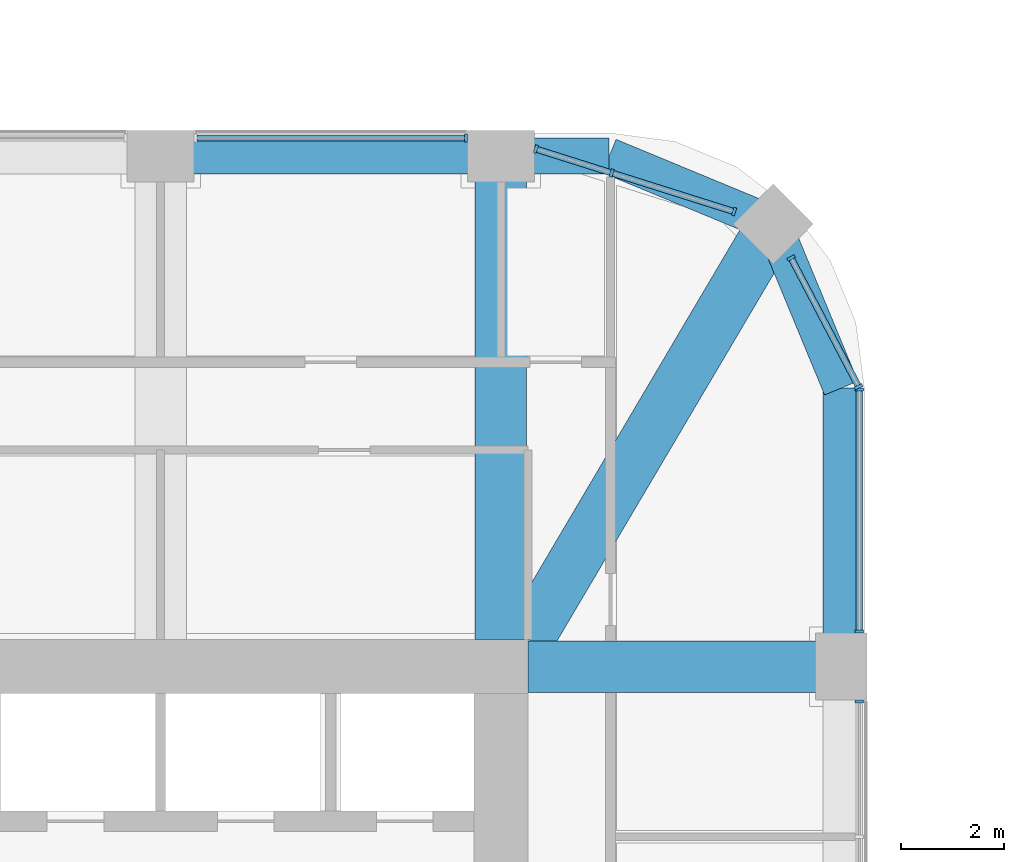
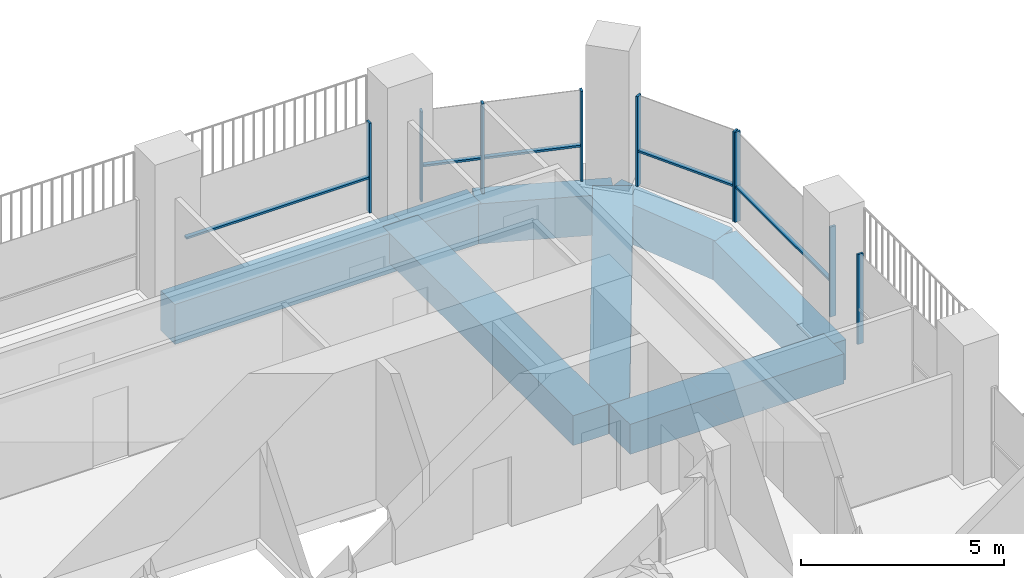
# One storey, part 6 of 19: 14 members, 8 beams, 5 elements without a shape of their own.
"""IFC4 building model written with IfcOpenShell, lengths in metres."""

from ifc_helpers import new_model, si_unit, direction, frame, origin, origin_2d, place, context, subcontext, project, spatial, rectangle, extrude, material, material_profile, profile_set, type_object, element, aggregate, save


model = new_model("IFC4")

# Units and contexts
model_context = context("Model", 3, precision=1e-05, world=origin(), true_north=direction((0.0, 1.0)))
body_context = subcontext(model_context, "Body", "Model", "MODEL_VIEW")
ifc_project = project(units=[si_unit("LENGTHUNIT", "METRE"), si_unit("AREAUNIT", "SQUARE_METRE"), si_unit("VOLUMEUNIT", "CUBIC_METRE"), si_unit("PLANEANGLEUNIT", "RADIAN"), si_unit("MASSUNIT", "GRAM", prefix="KILO")], contexts=[model_context])

# Site, building, storey
site_placement = place(None, origin())
site = spatial("IfcSite", under=ifc_project, at=site_placement, CompositionType="ELEMENT")
building_placement = place(site_placement, origin())
building = spatial("IfcBuilding", under=site, at=building_placement, Name="Cobogo Forest Laboratory Tower", CompositionType="ELEMENT")
storey_placement = place(building_placement, frame((0.0, 0.0, 237.60009765625)))
storey = spatial("IfcBuildingStorey", under=building, at=storey_placement, Name="L54", CompositionType="ELEMENT", Elevation=237.60009765625)

# Curtain wall, member
ifc_material_1 = material(Name="Aluminium curtain wall", Category="aluminium")
curtain_wall_type = type_object("IfcCurtainWallType", Name="CW-2 unitised curtain wall, solar control glazing, laboratory floors zones C and D", PredefinedType="USERDEFINED", material=ifc_material_1)
curtain_wall_1_placement = place(storey_placement, origin())
curtain_wall_1 = element("IfcCurtainWall", 1, at=curtain_wall_1_placement, inside=storey, type_object=curtain_wall_type, Name="Curtain wall 10 L54", ObjectType="UNITISED CURTAIN WALL", PredefinedType="USERDEFINED")
ifc_material_2 = material(Name="Aluminium mullion", Category="aluminium")
ifc_material_profile_1 = material_profile(ifc_material_2, rectangle(XDim=0.06005859375, YDim=0.159912109375, at=origin_2d()), Name="AL 60x160")
ifc_profile_set_1 = profile_set([ifc_material_profile_1], Name="Aluminium mullion")
member_type_1 = type_object("IfcMemberType", Name="MU-1 aluminium mullion 60x160", PredefinedType="MULLION", material=ifc_profile_set_1)
member_1_placement = place(storey_placement, frame((46.550048828125, 32.320068359375, 0.0), z_axis=(0.0, 0.0, 1.0), x_axis=(0.0, 1.0, 0.0)))
member_1 = element("IfcMember", 2, at=member_1_placement, type_object=member_type_1, Name="CW-2 mullion 3", PredefinedType="MULLION", context=body_context, shape_type="SweptSolid", body=[
    extrude(rectangle(XDim=0.06005859375, YDim=0.159912109375, at=origin_2d()), origin(), (0.0, 0.0, 1.0), 2.699951171875),
])
aggregate(curtain_wall_1, [member_1])

# Curtain wall, members
curtain_wall_2_placement = place(storey_placement, origin())
curtain_wall_2 = element("IfcCurtainWall", 3, at=curtain_wall_2_placement, inside=storey, type_object=curtain_wall_type, Name="Curtain wall 11 L54", ObjectType="UNITISED CURTAIN WALL", PredefinedType="USERDEFINED")
member_2_placement = place(storey_placement, frame((46.550048828125, 33.679931640625, 0.0), z_axis=(0.0, 0.0, 1.0), x_axis=(0.0, 1.0, 0.0)))
member_2 = element("IfcMember", 4, at=member_2_placement, type_object=member_type_1, Name="CW-2 mullion 1", PredefinedType="MULLION", context=body_context, shape_type="SweptSolid", body=[
    extrude(rectangle(XDim=0.06005859375, YDim=0.159912109375, at=origin_2d()), origin(), (0.0, 0.0, 1.0), 2.699951171875),
])
member_3_placement = place(storey_placement, frame((46.550048828125, 38.3701171875, 0.0), z_axis=(0.0, 0.0, 1.0), x_axis=(0.0, 1.0, 0.0)))
member_3 = element("IfcMember", 5, at=member_3_placement, type_object=member_type_1, Name="CW-2 mullion 2", PredefinedType="MULLION", context=body_context, shape_type="SweptSolid", body=[
    extrude(rectangle(XDim=0.06005859375, YDim=0.159912109375, at=origin_2d()), origin(), (0.0, 0.0, 1.0), 2.699951171875),
])

curtain_wall_3_placement = place(storey_placement, origin())
curtain_wall_3 = element("IfcCurtainWall", 6, at=curtain_wall_3_placement, inside=storey, type_object=curtain_wall_type, Name="Curtain wall 12 L54", ObjectType="UNITISED CURTAIN WALL", PredefinedType="USERDEFINED")
member_4_placement = place(storey_placement, frame((46.5361328125, 38.426513671875, 0.0), z_axis=(0.0, 0.0, 1.0), x_axis=(-0.464283804832, 0.885686484356, 0.0)))
member_4 = element("IfcMember", 7, at=member_4_placement, type_object=member_type_1, Name="CW-2 mullion 1", PredefinedType="MULLION", context=body_context, shape_type="SweptSolid", body=[
    extrude(rectangle(XDim=0.06005859375, YDim=0.159912109375, at=origin_2d()), origin(), (0.0, 0.0, 1.0), 2.699951171875),
])
member_5_placement = place(storey_placement, frame((45.2265625, 40.924560546875, 0.0), z_axis=(0.0, 0.0, 1.0), x_axis=(-0.464283804832, 0.885686484356, 0.0)))
member_5 = element("IfcMember", 8, at=member_5_placement, type_object=member_type_1, Name="CW-2 mullion 2", PredefinedType="MULLION", context=body_context, shape_type="SweptSolid", body=[
    extrude(rectangle(XDim=0.06005859375, YDim=0.159912109375, at=origin_2d()), origin(), (0.0, 0.0, 1.0), 2.699951171875),
])

curtain_wall_4_placement = place(storey_placement, origin())
curtain_wall_4 = element("IfcCurtainWall", 9, at=curtain_wall_4_placement, inside=storey, type_object=curtain_wall_type, Name="Curtain wall 13 L54", ObjectType="UNITISED CURTAIN WALL", PredefinedType="USERDEFINED")
member_6_placement = place(storey_placement, frame((44.12255859375, 41.82177734375, 0.0), z_axis=(0.0, 0.0, 1.0), x_axis=(-0.953581331491, 0.301135591107, 0.0)))
member_6 = element("IfcMember", 10, at=member_6_placement, type_object=member_type_1, Name="CW-2 mullion 1", PredefinedType="MULLION", context=body_context, shape_type="SweptSolid", body=[
    extrude(rectangle(XDim=0.06005859375, YDim=0.159912109375, at=origin_2d()), origin(), (0.0, 0.0, 1.0), 2.699951171875),
])
member_7_placement = place(storey_placement, frame((41.7490234375, 42.5712890625, 0.0), z_axis=(0.0, 0.0, 1.0), x_axis=(-0.953581331491, 0.301135591107, 0.0)))
member_7 = element("IfcMember", 11, at=member_7_placement, type_object=member_type_1, Name="CW-2 mullion 2", PredefinedType="MULLION", context=body_context, shape_type="SweptSolid", body=[
    extrude(rectangle(XDim=0.06005859375, YDim=0.159912109375, at=origin_2d()), origin(), (0.0, 0.0, 1.0), 2.699951171875),
])
member_8_placement = place(storey_placement, frame((40.278564453125, 43.03564453125, 0.0), z_axis=(0.0, 0.0, 1.0), x_axis=(-0.953581331491, 0.301135591107, 0.0)))
member_8 = element("IfcMember", 12, at=member_8_placement, type_object=member_type_1, Name="CW-2 mullion 3", PredefinedType="MULLION", context=body_context, shape_type="SweptSolid", body=[
    extrude(rectangle(XDim=0.06005859375, YDim=0.159912109375, at=origin_2d()), origin(), (0.0, 0.0, 1.0), 2.699951171875),
])

# Curtain wall, member
curtain_wall_5_placement = place(storey_placement, origin())
curtain_wall_5 = element("IfcCurtainWall", 13, at=curtain_wall_5_placement, inside=storey, type_object=curtain_wall_type, Name="Curtain wall 14 L54", ObjectType="UNITISED CURTAIN WALL", PredefinedType="USERDEFINED")
member_9_placement = place(storey_placement, frame((38.919921875, 43.25, 0.0), z_axis=(0.0, 0.0, 1.0), x_axis=(-1.0, 0.0, 0.0)))
member_9 = element("IfcMember", 14, at=member_9_placement, type_object=member_type_1, Name="CW-2 mullion 1", PredefinedType="MULLION", context=body_context, shape_type="SweptSolid", body=[
    extrude(rectangle(XDim=0.06005859375, YDim=0.159912109375, at=origin_2d()), origin(), (0.0, 0.0, 1.0), 2.699951171875),
])

# Beams
ifc_material_3 = material(Name="Concrete HA-40 (C40/50)", Category="concrete")
ifc_material_profile_2 = material_profile(ifc_material_3, rectangle(XDim=1.0, YDim=0.89990234375, at=origin_2d()), Name="RC 1000x900")
ifc_profile_set_2 = profile_set([ifc_material_profile_2], Name="Concrete HA-40 (C40/50)")
beam_type_1 = type_object("IfcBeamType", Name="Office floor wide beam 1000x900", PredefinedType="BEAM", material=ifc_profile_set_2)
beam_1_placement = place(storey_placement, frame((39.60009765625, 33.52490234375, -0.75), z_axis=(0.0, 1.0, 0.0), x_axis=(-1.0, 0.0, 0.0)))
element("IfcBeam", 15, at=beam_1_placement, inside=storey, type_object=beam_type_1, Name="RB2 R-7-N L54", PredefinedType="BEAM", context=body_context, shape_type="SweptSolid", body=[
    extrude(rectangle(XDim=1.0, YDim=0.89990234375, at=origin_2d()), origin(), (0.0, 0.0, 1.0), 9.375),
])
beam_2_placement = place(storey_placement, frame((40.125, 33.0, -0.75), z_axis=(1.0, 0.0, 0.0), x_axis=(0.0, 1.0, 0.0)))
element("IfcBeam", 16, at=beam_2_placement, inside=storey, type_object=beam_type_1, Name="RB2 R-F-E L54", PredefinedType="BEAM", context=body_context, shape_type="SweptSolid", body=[
    extrude(rectangle(XDim=1.0, YDim=0.89990234375, at=origin_2d()), origin(), (0.0, 0.0, 1.0), 6.074951171875),
])
beam_3_placement = place(storey_placement, frame((44.882080078125, 41.58203125, -0.75), z_axis=(-0.508416325908, -0.861111397875, 0.0), x_axis=(0.861111397875, -0.508416325908, 0.0)))
element("IfcBeam", 17, at=beam_3_placement, inside=storey, type_object=beam_type_1, Name="RB2 G-NE-D1 L54", PredefinedType="BEAM", context=body_context, shape_type="SweptSolid", body=[
    extrude(rectangle(XDim=1.0, YDim=0.89990234375, at=origin_2d()), origin(), (0.0, 0.0, 1.0), 9.356689453125),
])
ifc_material_profile_3 = material_profile(ifc_material_3, rectangle(XDim=0.699951171875, YDim=1.199951171875, at=origin_2d()), Name="RC 700x1200")
ifc_profile_set_3 = profile_set([ifc_material_profile_3], Name="Concrete HA-40 (C40/50)")
beam_type_2 = type_object("IfcBeamType", Name="Perimeter edge beam 700x1200", PredefinedType="BEAM", material=ifc_profile_set_3)
beam_4_placement = place(storey_placement, frame((33.0, 42.89990234375, -0.900146484375), z_axis=(1.0, 0.0, 0.0), x_axis=(0.0, 1.0, 0.0)))
element("IfcBeam", 18, at=beam_4_placement, inside=storey, type_object=beam_type_2, Name="EB1 E-N4 L54", PredefinedType="BEAM", context=body_context, shape_type="SweptSolid", body=[
    extrude(rectangle(XDim=0.699951171875, YDim=1.199951171875, at=origin_2d()), origin(), (0.0, 0.0, 1.0), 6.60009765625),
])
beam_5_placement = place(storey_placement, frame((46.199951171875, 33.0, -0.900146484375), z_axis=(0.0, 1.0, 0.0), x_axis=(-1.0, 0.0, 0.0)))
element("IfcBeam", 19, at=beam_5_placement, inside=storey, type_object=beam_type_2, Name="EB1 E-NEE1 L54", PredefinedType="BEAM", context=body_context, shape_type="SweptSolid", body=[
    extrude(rectangle(XDim=0.699951171875, YDim=1.199951171875, at=origin_2d()), origin(), (0.0, 0.0, 1.0), 5.39990234375),
])
beam_6_placement = place(storey_placement, frame((46.199951171875, 38.39990234375, -0.900146484375), z_axis=(-0.382631424892, 0.923901072997, 0.0), x_axis=(-0.923901072997, -0.382631424892, 0.0)))
element("IfcBeam", 20, at=beam_6_placement, inside=storey, type_object=beam_type_2, Name="EB1 E-NEE2 L54", PredefinedType="BEAM", context=body_context, shape_type="SweptSolid", body=[
    extrude(rectangle(XDim=0.699951171875, YDim=1.199951171875, at=origin_2d()), origin(), (0.0, 0.0, 1.0), 3.4443359375),
])
beam_7_placement = place(storey_placement, frame((39.60009765625, 42.89990234375, -0.900146484375), z_axis=(1.0, 0.0, 0.0), x_axis=(0.0, 1.0, 0.0)))
element("IfcBeam", 21, at=beam_7_placement, inside=storey, type_object=beam_type_2, Name="EB1 E-NEN1 L54", PredefinedType="BEAM", context=body_context, shape_type="SweptSolid", body=[
    extrude(rectangle(XDim=0.699951171875, YDim=1.199951171875, at=origin_2d()), origin(), (0.0, 0.0, 1.0), 2.099853515625),
])
beam_8_placement = place(storey_placement, frame((41.699951171875, 42.89990234375, -0.900146484375), z_axis=(0.923901072997, -0.382631424892, 0.0), x_axis=(0.382631424892, 0.923901072997, 0.0)))
element("IfcBeam", 22, at=beam_8_placement, inside=storey, type_object=beam_type_2, Name="EB1 E-NEN2 L54", PredefinedType="BEAM", context=body_context, shape_type="SweptSolid", body=[
    extrude(rectangle(XDim=0.699951171875, YDim=1.199951171875, at=origin_2d()), origin(), (0.0, 0.0, 1.0), 3.4443359375),
])

# Member
ifc_material_4 = material(Name="Aluminium transom", Category="aluminium")
ifc_material_profile_4 = material_profile(ifc_material_4, rectangle(XDim=0.1201171875, YDim=0.06005859375, at=origin_2d()), Name="AL 60x120")
ifc_profile_set_4 = profile_set([ifc_material_profile_4], Name="Aluminium transom")
member_type_2 = type_object("IfcMemberType", Name="TR-1 aluminium transom 60x120", PredefinedType="USERDEFINED", material=ifc_profile_set_4)
member_10_placement = place(storey_placement, frame((46.550048828125, 33.7099609375, 1.0498046875), z_axis=(0.0, 1.0, 0.0), x_axis=(-1.0, 0.0, 0.0)))
member_10 = element("IfcMember", 23, at=member_10_placement, type_object=member_type_2, Name="CW-2 transom 1.1", ObjectType="TRANSOM", PredefinedType="USERDEFINED", context=body_context, shape_type="SweptSolid", body=[
    extrude(rectangle(XDim=0.1201171875, YDim=0.06005859375, at=origin_2d()), origin(), (0.0, 0.0, 1.0), 4.630126953125),
])

aggregate(curtain_wall_2, [member_2, member_3, member_10])

member_11_placement = place(storey_placement, frame((46.522216796875, 38.453125, 1.0498046875), z_axis=(-0.464324225592, 0.885665294301, 0.0), x_axis=(-0.885665294301, -0.464324225592, 0.0)))
member_11 = element("IfcMember", 24, at=member_11_placement, type_object=member_type_2, Name="CW-2 transom 1.1", ObjectType="TRANSOM", PredefinedType="USERDEFINED", context=body_context, shape_type="SweptSolid", body=[
    extrude(rectangle(XDim=0.1201171875, YDim=0.06005859375, at=origin_2d()), origin(), (0.0, 0.0, 1.0), 2.760498046875),
])

aggregate(curtain_wall_3, [member_4, member_5, member_11])

member_12_placement = place(storey_placement, frame((44.093994140625, 41.830810546875, 1.0498046875), z_axis=(-0.953588740792, 0.301112127678, 0.0), x_axis=(-0.301112127678, -0.953588740792, 0.0)))
member_12 = element("IfcMember", 25, at=member_12_placement, type_object=member_type_2, Name="CW-2 transom 1.1", ObjectType="TRANSOM", PredefinedType="USERDEFINED", context=body_context, shape_type="SweptSolid", body=[
    extrude(rectangle(XDim=0.1201171875, YDim=0.06005859375, at=origin_2d()), origin(), (0.0, 0.0, 1.0), 2.42919921875),
])

member_13_placement = place(storey_placement, frame((41.720458984375, 42.580322265625, 1.0498046875), z_axis=(-0.953587644069, 0.301115600856, 0.0), x_axis=(-0.301115600856, -0.953587644069, 0.0)))
member_13 = element("IfcMember", 26, at=member_13_placement, type_object=member_type_2, Name="CW-2 transom 2.1", ObjectType="TRANSOM", PredefinedType="USERDEFINED", context=body_context, shape_type="SweptSolid", body=[
    extrude(rectangle(XDim=0.1201171875, YDim=0.06005859375, at=origin_2d()), origin(), (0.0, 0.0, 1.0), 1.482177734375),
])

aggregate(curtain_wall_4, [member_6, member_7, member_8, member_12, member_13])

member_14_placement = place(storey_placement, frame((38.889892578125, 43.25, 1.0498046875), z_axis=(-1.0, 0.0, 0.0), x_axis=(0.0, -1.0, 0.0)))
member_14 = element("IfcMember", 27, at=member_14_placement, type_object=member_type_2, Name="CW-2 transom 1.1", ObjectType="TRANSOM", PredefinedType="USERDEFINED", context=body_context, shape_type="SweptSolid", body=[
    extrude(rectangle(XDim=0.1201171875, YDim=0.06005859375, at=origin_2d()), origin(), (0.0, 0.0, 1.0), 5.179931640625),
])

aggregate(curtain_wall_5, [member_9, member_14])

save(model, "model.ifc")
